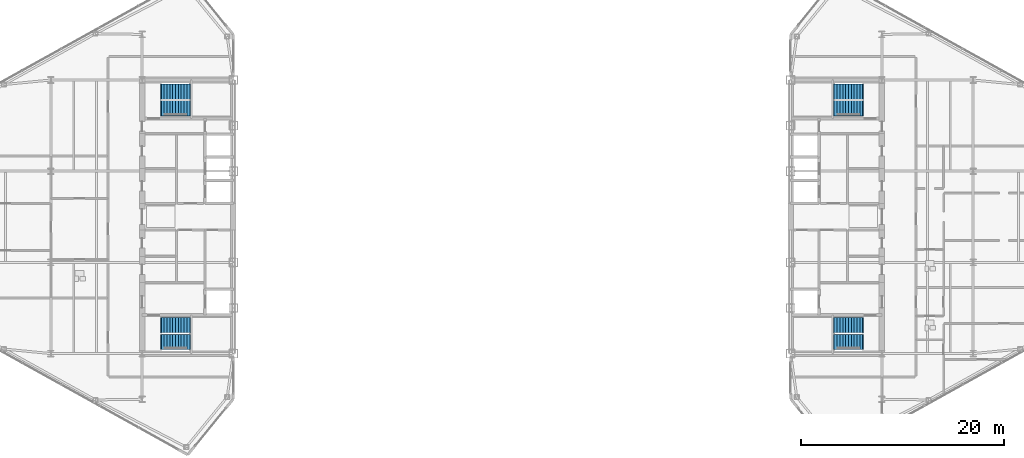
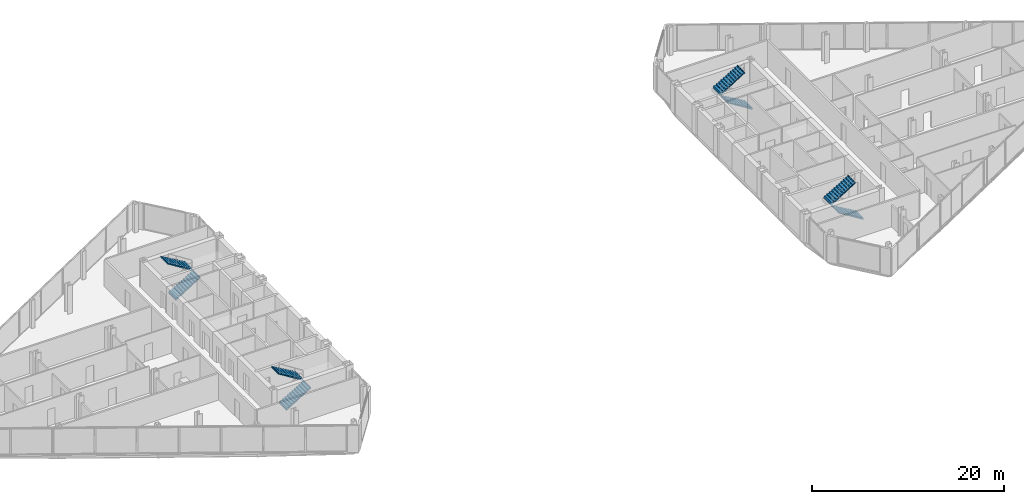
# One storey, part 24 of 26: 8 stair flights, 4 elements without a shape of their own.
"""IFC4 building model written with IfcOpenShell, lengths in metres."""

from ifc_helpers import new_model, si_unit, direction, frame, origin, place, context, subcontext, project, spatial, polyline, outline, extrude, material, type_object, element, aggregate, save


model = new_model("IFC4")

# Units and contexts
model_context = context("Model", 3, precision=1e-05, world=origin(), true_north=direction((0.0, 1.0)))
body_context = subcontext(model_context, "Body", "Model", "MODEL_VIEW")
ifc_project = project(units=[si_unit("LENGTHUNIT", "METRE"), si_unit("AREAUNIT", "SQUARE_METRE"), si_unit("VOLUMEUNIT", "CUBIC_METRE"), si_unit("PLANEANGLEUNIT", "RADIAN"), si_unit("MASSUNIT", "GRAM", prefix="KILO")], contexts=[model_context])

# Site, building, storey
site_placement = place(None, origin())
site = spatial("IfcSite", under=ifc_project, at=site_placement, CompositionType="ELEMENT")
building_placement = place(site_placement, origin())
building = spatial("IfcBuilding", under=site, at=building_placement, Name="Seokmaru Belvedere", CompositionType="ELEMENT")
storey_placement = place(building_placement, frame((0.0, 0.0, 167.10009765625)))
storey = spatial("IfcBuildingStorey", under=building, at=storey_placement, Name="L44", CompositionType="ELEMENT", Elevation=167.10009765625)

# Stair, stair flights
ifc_material = material(Name="Concrete C40 (40 MPa)", Category="concrete")
stair_type = type_object("IfcStairType", Name="Typical Tower Core Dog-Leg Stair 3600", PredefinedType="TWO_STRAIGHT_RUN_STAIR", material=ifc_material)
stair_1_placement = place(storey_placement, origin())
stair_1 = element("IfcStair", 1, at=stair_1_placement, inside=storey, type_object=stair_type, Name="L44 Special Escape Stair ST-W1", PredefinedType="TWO_STRAIGHT_RUN_STAIR")
stair_flight_type = type_object("IfcStairFlightType", Name="Reinforced Concrete Stair Flight 1500", PredefinedType="STRAIGHT", material=ifc_material)
stair_flight_1_placement = place(storey_placement, frame((-34.60009765625, -12.35009765625, 0.0), z_axis=(0.0, 0.0, 1.0), x_axis=(1.0, 0.0, 0.0)))
stair_flight_1 = element("IfcStairFlight", 2, at=stair_flight_1_placement, type_object=stair_flight_type, Name="ST-W1 flight 1", NumberOfRisers=11, NumberOfTreads=10, PredefinedType="STRAIGHT", RiserHeight=0.163636364, TreadLength=0.28, context=body_context, shape_type="SweptSolid", body=[
    extrude(outline(polyline([(-0.080078125, 0.0), (0.0, 0.16357421875), (0.280029296875, 0.16357421875), (0.280029296875, 0.327392578125), (0.56005859375, 0.327392578125), (0.56005859375, 0.490966796875), (0.840087890625, 0.490966796875), (0.840087890625, 0.654541015625), (1.1201171875, 0.654541015625), (1.1201171875, 0.818115234375), (1.39990234375, 0.818115234375), (1.39990234375, 0.98193359375), (1.679931640625, 0.98193359375), (1.679931640625, 1.1455078125), (1.9599609375, 1.1455078125), (1.9599609375, 1.30908203125), (2.239990234375, 1.30908203125), (2.239990234375, 1.47265625), (2.52001953125, 1.47265625), (2.52001953125, 1.636474609375), (2.800048828125, 1.636474609375), (2.800048828125, 1.800048828125), (2.8798828125, 1.800048828125), (2.8798828125, 1.610107421875), (2.800048828125, 1.610107421875), (0.0, -0.159912109375), (-0.080078125, -0.159912109375), (-0.080078125, 0.0)])), frame((0.0, 0.75, 0.0), z_axis=(0.0, -1.0, 0.0), x_axis=(1.0, 0.0, 0.0)), (0.0, 0.0, 1.0), 1.5),
])
stair_flight_2_placement = place(storey_placement, frame((-31.800048828125, -10.7099609375, 1.7998046875), z_axis=(0.0, 0.0, 1.0), x_axis=(-1.0, 0.0, 0.0)))
stair_flight_2 = element("IfcStairFlight", 3, at=stair_flight_2_placement, type_object=stair_flight_type, Name="ST-W1 flight 2", NumberOfRisers=11, NumberOfTreads=10, PredefinedType="STRAIGHT", RiserHeight=0.163636364, TreadLength=0.28, context=body_context, shape_type="SweptSolid", body=[
    extrude(outline(polyline([(-0.080078125, 0.0), (0.0, 0.16357421875), (0.280029296875, 0.16357421875), (0.280029296875, 0.327392578125), (0.56005859375, 0.327392578125), (0.56005859375, 0.490966796875), (0.840087890625, 0.490966796875), (0.840087890625, 0.654541015625), (1.1201171875, 0.654541015625), (1.1201171875, 0.818115234375), (1.39990234375, 0.818115234375), (1.39990234375, 0.98193359375), (1.679931640625, 0.98193359375), (1.679931640625, 1.1455078125), (1.9599609375, 1.1455078125), (1.9599609375, 1.30908203125), (2.239990234375, 1.30908203125), (2.239990234375, 1.47265625), (2.52001953125, 1.47265625), (2.52001953125, 1.636474609375), (2.800048828125, 1.636474609375), (2.800048828125, 1.800048828125), (2.8798828125, 1.800048828125), (2.8798828125, 1.610107421875), (2.800048828125, 1.610107421875), (0.0, -0.159912109375), (-0.080078125, -0.159912109375), (-0.080078125, 0.0)])), frame((0.0, 0.75, 0.0), z_axis=(0.0, -1.0, 0.0), x_axis=(1.0, 0.0, 0.0)), (0.0, 0.0, 1.0), 1.5),
])
aggregate(stair_1, [stair_flight_1, stair_flight_2])

stair_2_placement = place(storey_placement, origin())
stair_2 = element("IfcStair", 4, at=stair_2_placement, inside=storey, type_object=stair_type, Name="L44 Special Escape Stair ST-W2", PredefinedType="TWO_STRAIGHT_RUN_STAIR")
stair_flight_3_placement = place(storey_placement, frame((-34.60009765625, 10.7099609375, 0.0), z_axis=(0.0, 0.0, 1.0), x_axis=(1.0, 0.0, 0.0)))
stair_flight_3 = element("IfcStairFlight", 5, at=stair_flight_3_placement, type_object=stair_flight_type, Name="ST-W2 flight 1", NumberOfRisers=11, NumberOfTreads=10, PredefinedType="STRAIGHT", RiserHeight=0.163636364, TreadLength=0.28, context=body_context, shape_type="SweptSolid", body=[
    extrude(outline(polyline([(-0.080078125, 0.0), (0.0, 0.16357421875), (0.280029296875, 0.16357421875), (0.280029296875, 0.327392578125), (0.56005859375, 0.327392578125), (0.56005859375, 0.490966796875), (0.840087890625, 0.490966796875), (0.840087890625, 0.654541015625), (1.1201171875, 0.654541015625), (1.1201171875, 0.818115234375), (1.39990234375, 0.818115234375), (1.39990234375, 0.98193359375), (1.679931640625, 0.98193359375), (1.679931640625, 1.1455078125), (1.9599609375, 1.1455078125), (1.9599609375, 1.30908203125), (2.239990234375, 1.30908203125), (2.239990234375, 1.47265625), (2.52001953125, 1.47265625), (2.52001953125, 1.636474609375), (2.800048828125, 1.636474609375), (2.800048828125, 1.800048828125), (2.8798828125, 1.800048828125), (2.8798828125, 1.610107421875), (2.800048828125, 1.610107421875), (0.0, -0.159912109375), (-0.080078125, -0.159912109375), (-0.080078125, 0.0)])), frame((0.0, 0.75, 0.0), z_axis=(0.0, -1.0, 0.0), x_axis=(1.0, 0.0, 0.0)), (0.0, 0.0, 1.0), 1.5),
])
stair_flight_4_placement = place(storey_placement, frame((-31.800048828125, 12.35009765625, 1.7998046875), z_axis=(0.0, 0.0, 1.0), x_axis=(-1.0, 0.0, 0.0)))
stair_flight_4 = element("IfcStairFlight", 6, at=stair_flight_4_placement, type_object=stair_flight_type, Name="ST-W2 flight 2", NumberOfRisers=11, NumberOfTreads=10, PredefinedType="STRAIGHT", RiserHeight=0.163636364, TreadLength=0.28, context=body_context, shape_type="SweptSolid", body=[
    extrude(outline(polyline([(-0.080078125, 0.0), (0.0, 0.16357421875), (0.280029296875, 0.16357421875), (0.280029296875, 0.327392578125), (0.56005859375, 0.327392578125), (0.56005859375, 0.490966796875), (0.840087890625, 0.490966796875), (0.840087890625, 0.654541015625), (1.1201171875, 0.654541015625), (1.1201171875, 0.818115234375), (1.39990234375, 0.818115234375), (1.39990234375, 0.98193359375), (1.679931640625, 0.98193359375), (1.679931640625, 1.1455078125), (1.9599609375, 1.1455078125), (1.9599609375, 1.30908203125), (2.239990234375, 1.30908203125), (2.239990234375, 1.47265625), (2.52001953125, 1.47265625), (2.52001953125, 1.636474609375), (2.800048828125, 1.636474609375), (2.800048828125, 1.800048828125), (2.8798828125, 1.800048828125), (2.8798828125, 1.610107421875), (2.800048828125, 1.610107421875), (0.0, -0.159912109375), (-0.080078125, -0.159912109375), (-0.080078125, 0.0)])), frame((0.0, 0.75, 0.0), z_axis=(0.0, -1.0, 0.0), x_axis=(1.0, 0.0, 0.0)), (0.0, 0.0, 1.0), 1.5),
])
aggregate(stair_2, [stair_flight_3, stair_flight_4])

stair_3_placement = place(storey_placement, origin())
stair_3 = element("IfcStair", 7, at=stair_3_placement, inside=storey, type_object=stair_type, Name="L44 Special Escape Stair ST-E1", PredefinedType="TWO_STRAIGHT_RUN_STAIR")
stair_flight_5_placement = place(storey_placement, frame((34.60009765625, -12.35009765625, 0.0), z_axis=(0.0, 0.0, 1.0), x_axis=(-1.0, 0.0, 0.0)))
stair_flight_5 = element("IfcStairFlight", 8, at=stair_flight_5_placement, type_object=stair_flight_type, Name="ST-E1 flight 1", NumberOfRisers=11, NumberOfTreads=10, PredefinedType="STRAIGHT", RiserHeight=0.163636364, TreadLength=0.28, context=body_context, shape_type="SweptSolid", body=[
    extrude(outline(polyline([(-0.080078125, 0.0), (0.0, 0.16357421875), (0.280029296875, 0.16357421875), (0.280029296875, 0.327392578125), (0.56005859375, 0.327392578125), (0.56005859375, 0.490966796875), (0.840087890625, 0.490966796875), (0.840087890625, 0.654541015625), (1.1201171875, 0.654541015625), (1.1201171875, 0.818115234375), (1.39990234375, 0.818115234375), (1.39990234375, 0.98193359375), (1.679931640625, 0.98193359375), (1.679931640625, 1.1455078125), (1.9599609375, 1.1455078125), (1.9599609375, 1.30908203125), (2.239990234375, 1.30908203125), (2.239990234375, 1.47265625), (2.52001953125, 1.47265625), (2.52001953125, 1.636474609375), (2.800048828125, 1.636474609375), (2.800048828125, 1.800048828125), (2.8798828125, 1.800048828125), (2.8798828125, 1.610107421875), (2.800048828125, 1.610107421875), (0.0, -0.159912109375), (-0.080078125, -0.159912109375), (-0.080078125, 0.0)])), frame((0.0, 0.75, 0.0), z_axis=(0.0, -1.0, 0.0), x_axis=(1.0, 0.0, 0.0)), (0.0, 0.0, 1.0), 1.5),
])
stair_flight_6_placement = place(storey_placement, frame((31.800048828125, -10.7099609375, 1.7998046875), z_axis=(0.0, 0.0, 1.0), x_axis=(1.0, 0.0, 0.0)))
stair_flight_6 = element("IfcStairFlight", 9, at=stair_flight_6_placement, type_object=stair_flight_type, Name="ST-E1 flight 2", NumberOfRisers=11, NumberOfTreads=10, PredefinedType="STRAIGHT", RiserHeight=0.163636364, TreadLength=0.28, context=body_context, shape_type="SweptSolid", body=[
    extrude(outline(polyline([(-0.080078125, 0.0), (0.0, 0.16357421875), (0.280029296875, 0.16357421875), (0.280029296875, 0.327392578125), (0.56005859375, 0.327392578125), (0.56005859375, 0.490966796875), (0.840087890625, 0.490966796875), (0.840087890625, 0.654541015625), (1.1201171875, 0.654541015625), (1.1201171875, 0.818115234375), (1.39990234375, 0.818115234375), (1.39990234375, 0.98193359375), (1.679931640625, 0.98193359375), (1.679931640625, 1.1455078125), (1.9599609375, 1.1455078125), (1.9599609375, 1.30908203125), (2.239990234375, 1.30908203125), (2.239990234375, 1.47265625), (2.52001953125, 1.47265625), (2.52001953125, 1.636474609375), (2.800048828125, 1.636474609375), (2.800048828125, 1.800048828125), (2.8798828125, 1.800048828125), (2.8798828125, 1.610107421875), (2.800048828125, 1.610107421875), (0.0, -0.159912109375), (-0.080078125, -0.159912109375), (-0.080078125, 0.0)])), frame((0.0, 0.75, 0.0), z_axis=(0.0, -1.0, 0.0), x_axis=(1.0, 0.0, 0.0)), (0.0, 0.0, 1.0), 1.5),
])
aggregate(stair_3, [stair_flight_5, stair_flight_6])

stair_4_placement = place(storey_placement, origin())
stair_4 = element("IfcStair", 10, at=stair_4_placement, inside=storey, type_object=stair_type, Name="L44 Special Escape Stair ST-E2", PredefinedType="TWO_STRAIGHT_RUN_STAIR")
stair_flight_7_placement = place(storey_placement, frame((34.60009765625, 10.7099609375, 0.0), z_axis=(0.0, 0.0, 1.0), x_axis=(-1.0, 0.0, 0.0)))
stair_flight_7 = element("IfcStairFlight", 11, at=stair_flight_7_placement, type_object=stair_flight_type, Name="ST-E2 flight 1", NumberOfRisers=11, NumberOfTreads=10, PredefinedType="STRAIGHT", RiserHeight=0.163636364, TreadLength=0.28, context=body_context, shape_type="SweptSolid", body=[
    extrude(outline(polyline([(-0.080078125, 0.0), (0.0, 0.16357421875), (0.280029296875, 0.16357421875), (0.280029296875, 0.327392578125), (0.56005859375, 0.327392578125), (0.56005859375, 0.490966796875), (0.840087890625, 0.490966796875), (0.840087890625, 0.654541015625), (1.1201171875, 0.654541015625), (1.1201171875, 0.818115234375), (1.39990234375, 0.818115234375), (1.39990234375, 0.98193359375), (1.679931640625, 0.98193359375), (1.679931640625, 1.1455078125), (1.9599609375, 1.1455078125), (1.9599609375, 1.30908203125), (2.239990234375, 1.30908203125), (2.239990234375, 1.47265625), (2.52001953125, 1.47265625), (2.52001953125, 1.636474609375), (2.800048828125, 1.636474609375), (2.800048828125, 1.800048828125), (2.8798828125, 1.800048828125), (2.8798828125, 1.610107421875), (2.800048828125, 1.610107421875), (0.0, -0.159912109375), (-0.080078125, -0.159912109375), (-0.080078125, 0.0)])), frame((0.0, 0.75, 0.0), z_axis=(0.0, -1.0, 0.0), x_axis=(1.0, 0.0, 0.0)), (0.0, 0.0, 1.0), 1.5),
])
stair_flight_8_placement = place(storey_placement, frame((31.800048828125, 12.35009765625, 1.7998046875), z_axis=(0.0, 0.0, 1.0), x_axis=(1.0, 0.0, 0.0)))
stair_flight_8 = element("IfcStairFlight", 12, at=stair_flight_8_placement, type_object=stair_flight_type, Name="ST-E2 flight 2", NumberOfRisers=11, NumberOfTreads=10, PredefinedType="STRAIGHT", RiserHeight=0.163636364, TreadLength=0.28, context=body_context, shape_type="SweptSolid", body=[
    extrude(outline(polyline([(-0.080078125, 0.0), (0.0, 0.16357421875), (0.280029296875, 0.16357421875), (0.280029296875, 0.327392578125), (0.56005859375, 0.327392578125), (0.56005859375, 0.490966796875), (0.840087890625, 0.490966796875), (0.840087890625, 0.654541015625), (1.1201171875, 0.654541015625), (1.1201171875, 0.818115234375), (1.39990234375, 0.818115234375), (1.39990234375, 0.98193359375), (1.679931640625, 0.98193359375), (1.679931640625, 1.1455078125), (1.9599609375, 1.1455078125), (1.9599609375, 1.30908203125), (2.239990234375, 1.30908203125), (2.239990234375, 1.47265625), (2.52001953125, 1.47265625), (2.52001953125, 1.636474609375), (2.800048828125, 1.636474609375), (2.800048828125, 1.800048828125), (2.8798828125, 1.800048828125), (2.8798828125, 1.610107421875), (2.800048828125, 1.610107421875), (0.0, -0.159912109375), (-0.080078125, -0.159912109375), (-0.080078125, 0.0)])), frame((0.0, 0.75, 0.0), z_axis=(0.0, -1.0, 0.0), x_axis=(1.0, 0.0, 0.0)), (0.0, 0.0, 1.0), 1.5),
])
aggregate(stair_4, [stair_flight_7, stair_flight_8])

save(model, "model.ifc")
